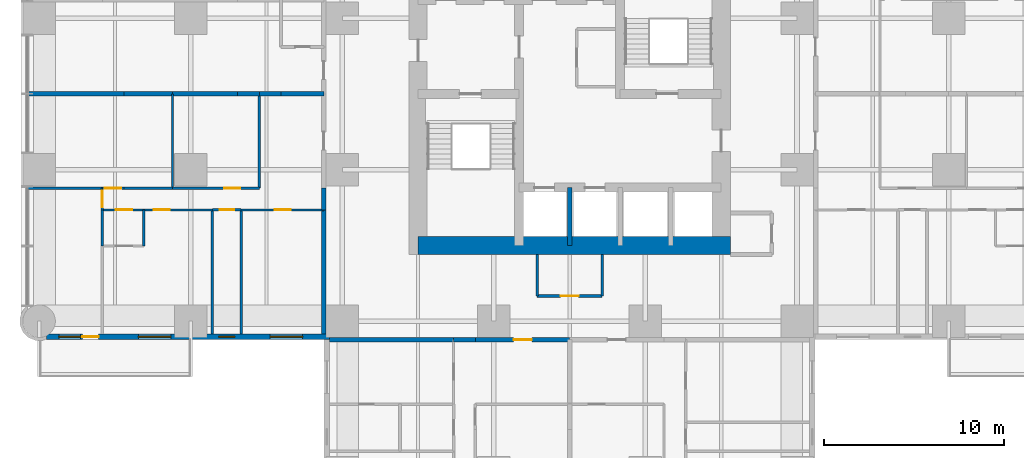
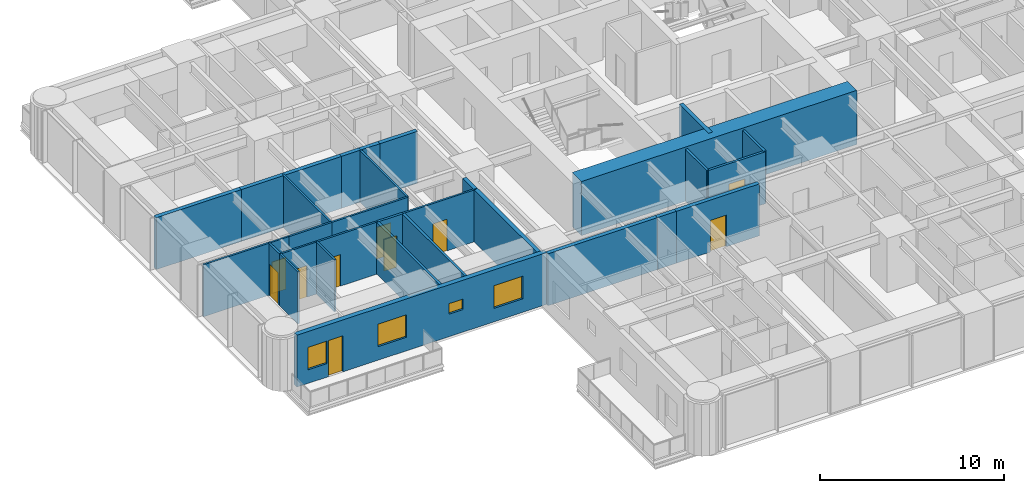
# One storey, part 8 of 17: 32 walls, 10 doors, 4 windows, 14 openings.
"""IFC4 building model written with IfcOpenShell, lengths in metres."""

from ifc_helpers import new_model, si_unit, direction, frame, frame_2d, origin, place, context, subcontext, project, spatial, rectangle, extrude, material, layer, layer_set, type_object, element, fill, save


model = new_model("IFC4")

# Units and contexts
model_context = context("Model", 3, precision=1e-05, world=origin(), true_north=direction((0.0, 1.0)))
body_context = subcontext(model_context, "Body", "Model", "MODEL_VIEW")
ifc_project = project(units=[si_unit("LENGTHUNIT", "METRE"), si_unit("AREAUNIT", "SQUARE_METRE"), si_unit("VOLUMEUNIT", "CUBIC_METRE"), si_unit("PLANEANGLEUNIT", "RADIAN"), si_unit("MASSUNIT", "GRAM", prefix="KILO")], contexts=[model_context])

# Site, building, storey
site_placement = place(None, origin())
site = spatial("IfcSite", under=ifc_project, at=site_placement, CompositionType="ELEMENT")
building_placement = place(site_placement, origin())
building = spatial("IfcBuilding", under=site, at=building_placement, Name="Torre Alcanfor", CompositionType="ELEMENT")
storey_placement = place(building_placement, frame((0.0, 0.0, 41.699951171875)))
storey = spatial("IfcBuildingStorey", under=building, at=storey_placement, Name="L09", CompositionType="ELEMENT", Elevation=41.699951171875)

# Wall, opening, door
ifc_material_1 = material(Name="Concrete block masonry, hollow blocks NMX-C-404 9 MPa", Category="masonry")
ifc_layer_1 = layer(ifc_material_1, 0.25)
ifc_layer_set_1 = layer_set([ifc_layer_1], Name="Apartment entrance wall 250 EI 60")
wall_type_1 = type_object("IfcWallType", Name="Apartment entrance wall 250 EI 60", PredefinedType="PARTITIONING", material=ifc_layer_set_1)
wall_1_placement = place(storey_placement, frame((29.39990234375, 15.77490234375, 0.0), z_axis=(0.0, 0.0, 1.0), x_axis=(-1.0, 0.0, 0.0)))
wall_1 = element("IfcWall", 1, at=wall_1_placement, inside=storey, type_object=wall_type_1, Name="Partition L09-CORR / L09-S2-ZAG", PredefinedType="PARTITIONING", context=body_context, shape_type="SweptSolid", body=[
    extrude(rectangle(XDim=5.22900390625, YDim=0.25, at=frame_2d((2.614501953125, 0.0))), origin(), (0.0, 0.0, 1.0), 3.449951171875),
])
opening_1_placement = place(wall_1_placement, frame((2.10009765625, 0.0, 0.0)))
opening_1 = element("IfcOpeningElement", 2, at=opening_1_placement, cuts=wall_1, Name="Opening D-A1", PredefinedType="OPENING", context=body_context, shape_type="SweptSolid", body=[
    extrude(rectangle(XDim=1.0, YDim=2.10009765625, at=frame_2d((0.5, 1.050048828125))), frame((0.0, 0.135009765625, 0.0), z_axis=(0.0, -1.0, 0.0), x_axis=(1.0, 0.0, 0.0)), (0.0, 0.0, 1.0), 0.27001953125),
])
ifc_material_2 = material(Name="Galvanised steel sheet ASTM A653", Category="steel")
door_type_1 = type_object("IfcDoorType", Name="Apartment entrance door FD60 1000x2100", OperationType="SINGLE_SWING_LEFT", PredefinedType="DOOR", material=ifc_material_2)
door_1_placement = place(opening_1_placement, origin())
door_1 = element("IfcDoor", 3, at=door_1_placement, inside=storey, type_object=door_type_1, Name="Apartment entrance L09-S2", OperationType="SINGLE_SWING_LEFT", OverallHeight=2.10009765625, OverallWidth=1.0, PredefinedType="DOOR", context=body_context, shape_type="SweptSolid", body=[
    extrude(rectangle(XDim=1.0, YDim=2.10009765625, at=frame_2d((0.5, 1.050048828125))), frame((0.0, 0.02490234375, 0.0), z_axis=(0.0, -1.0, 0.0), x_axis=(1.0, 0.0, 0.0)), (0.0, 0.0, 1.0), 0.050048828125),
])
fill(opening_1, door_1)

# Walls
wall_2_placement = place(storey_placement, frame((24.1708984375, 15.77490234375, 0.0), z_axis=(0.0, 0.0, 1.0), x_axis=(-1.0, 0.0, 0.0)))
element("IfcWall", 4, at=wall_2_placement, inside=storey, type_object=wall_type_1, Name="Partition L09-CORR / L09-S2-HALL", PredefinedType="PARTITIONING", context=body_context, shape_type="SweptSolid", body=[
    extrude(rectangle(XDim=1.199951171875, YDim=0.25, at=frame_2d((0.60009765625, 0.0))), origin(), (0.0, 0.0, 1.0), 3.449951171875),
])
wall_3_placement = place(storey_placement, frame((22.970947265625, 15.77490234375, 0.0), z_axis=(0.0, 0.0, 1.0), x_axis=(-1.0, 0.0, 0.0)))
element("IfcWall", 5, at=wall_3_placement, inside=storey, type_object=wall_type_1, Name="Partition L09-CORR / L09-S2-SERV", PredefinedType="PARTITIONING", context=body_context, shape_type="SweptSolid", body=[
    extrude(rectangle(XDim=6.870849609375, YDim=0.25, at=frame_2d((3.435546875, 0.0))), origin(), (0.0, 0.0, 1.0), 3.449951171875),
])
wall_4_placement = place(storey_placement, frame((15.77490234375, 22.970947265625, 0.0), z_axis=(0.0, 0.0, 1.0), x_axis=(0.0, 1.0, 0.0)))
element("IfcWall", 6, at=wall_4_placement, inside=storey, type_object=wall_type_1, Name="Partition L09-CORR / L09-W1-HALL", PredefinedType="PARTITIONING", context=body_context, shape_type="SweptSolid", body=[
    extrude(rectangle(XDim=1.199951171875, YDim=0.25, at=frame_2d((0.60009765625, 0.0))), origin(), (0.0, 0.0, 1.0), 3.449951171875),
])
wall_5_placement = place(storey_placement, frame((15.77490234375, 16.10009765625, 0.0), z_axis=(0.0, 0.0, 1.0), x_axis=(0.0, 1.0, 0.0)))
element("IfcWall", 7, at=wall_5_placement, inside=storey, type_object=wall_type_1, Name="Partition L09-CORR / L09-W1-BED2", PredefinedType="PARTITIONING", context=body_context, shape_type="SweptSolid", body=[
    extrude(rectangle(XDim=6.870849609375, YDim=0.25, at=frame_2d((3.435546875, 0.0))), origin(), (0.0, 0.0, 1.0), 3.449951171875),
])
ifc_material_3 = material(Name="Gypsum board on steel studs", Category="steel")
ifc_layer_2 = layer(ifc_material_3, 0.1201171875)
ifc_layer_set_2 = layer_set([ifc_layer_2], Name="Apartment partition 120")
wall_type_2 = type_object("IfcWallType", Name="Apartment partition 120", PredefinedType="PARTITIONING", material=ifc_layer_set_2)
for number, where, z_axis, x_axis, name in (
    (8, (12.199951171875, 29.39990234375, 0.0), (0.0, 0.0, 1.0), (0.0, -1.0, 0.0), "Partition L09-W1-ZAG / L09-W1-FAMILY"),
    (9, (7.39990234375, 29.39990234375, 0.0), (0.0, 0.0, 1.0), (0.0, -1.0, 0.0), "Partition L09-W1-FAMILY / L09-W1-KITCHEN"),
):
    element("IfcWall", number, at=place(storey_placement, frame(where, z_axis=z_axis, x_axis=x_axis)), inside=storey, type_object=wall_type_2, Name=name, PredefinedType="PARTITIONING", context=body_context, shape_type="SweptSolid", body=[
        extrude(rectangle(XDim=5.22900390625, YDim=0.1201171875, at=frame_2d((2.614501953125, 0.0))), origin(), (0.0, 0.0, 1.0), 3.449951171875),
    ])

# Wall, opening, door
wall_6_placement = place(storey_placement, frame((7.39990234375, 24.1708984375, 0.0), z_axis=(0.0, 0.0, 1.0), x_axis=(1.0, 0.0, 0.0)))
wall_6 = element("IfcWall", 10, at=wall_6_placement, inside=storey, type_object=wall_type_2, Name="Partition L09-W1-FAMILY / L09-W1-HALL", PredefinedType="PARTITIONING", context=body_context, shape_type="SweptSolid", body=[
    extrude(rectangle(XDim=4.800048828125, YDim=0.1201171875, at=frame_2d((2.39990234375, 0.0))), origin(), (0.0, 0.0, 1.0), 3.449951171875),
])
opening_2_placement = place(wall_6_placement, frame((2.85009765625, 0.0, 0.0)))
opening_2 = element("IfcOpeningElement", 11, at=opening_2_placement, cuts=wall_6, Name="Opening D-R1", PredefinedType="OPENING", context=body_context, shape_type="SweptSolid", body=[
    extrude(rectangle(XDim=0.89990234375, YDim=2.10009765625, at=frame_2d((0.449951171875, 1.050048828125))), frame((0.0, 0.070068359375, 0.0), z_axis=(0.0, -1.0, 0.0), x_axis=(1.0, 0.0, 0.0)), (0.0, 0.0, 1.0), 0.14013671875),
])
ifc_material_4 = material(Name="Timber", Category="wood")
door_type_2 = type_object("IfcDoorType", Name="Internal door 900x2100", OperationType="SINGLE_SWING_LEFT", PredefinedType="DOOR", material=ifc_material_4)
door_2_placement = place(opening_2_placement, origin())
door_2 = element("IfcDoor", 12, at=door_2_placement, inside=storey, type_object=door_type_2, Name="Door L09-W1 family", OperationType="SINGLE_SWING_RIGHT", OverallHeight=2.10009765625, OverallWidth=0.89990234375, PredefinedType="DOOR", context=body_context, shape_type="SweptSolid", body=[
    extrude(rectangle(XDim=0.89990234375, YDim=2.10009765625, at=frame_2d((0.449951171875, 1.050048828125))), frame((0.0, 0.02490234375, 0.0), z_axis=(0.0, -1.0, 0.0), x_axis=(1.0, 0.0, 0.0)), (0.0, 0.0, 1.0), 0.050048828125),
])
fill(opening_2, door_2)

# Wall
wall_7_placement = place(storey_placement, frame((4.699951171875, 24.1708984375, 0.0), z_axis=(0.0, 0.0, 1.0), x_axis=(1.0, 0.0, 0.0)))
element("IfcWall", 13, at=wall_7_placement, inside=storey, type_object=wall_type_2, Name="Partition L09-W1-KITCHEN / L09-W1-HALL", PredefinedType="PARTITIONING", context=body_context, shape_type="SweptSolid", body=[
    extrude(rectangle(XDim=2.699951171875, YDim=0.1201171875, at=frame_2d((1.35009765625, 0.0))), origin(), (0.0, 0.0, 1.0), 3.449951171875),
])

# Wall, opening, door
wall_8_placement = place(storey_placement, frame((3.5, 24.1708984375, 0.0), z_axis=(0.0, 0.0, 1.0), x_axis=(1.0, 0.0, 0.0)))
wall_8 = element("IfcWall", 14, at=wall_8_placement, inside=storey, type_object=wall_type_2, Name="Partition L09-W1-LIVING / L09-W1-HALL", PredefinedType="PARTITIONING", context=body_context, shape_type="SweptSolid", body=[
    extrude(rectangle(XDim=1.199951171875, YDim=0.1201171875, at=frame_2d((0.60009765625, 0.0))), origin(), (0.0, 0.0, 1.0), 3.449951171875),
])
opening_3_placement = place(wall_8_placement, frame((0.14990234375, 0.0, 0.0)))
opening_3 = element("IfcOpeningElement", 15, at=opening_3_placement, cuts=wall_8, Name="Opening D-R1", PredefinedType="OPENING", context=body_context, shape_type="SweptSolid", body=[
    extrude(rectangle(XDim=0.89990234375, YDim=2.10009765625, at=frame_2d((0.449951171875, 1.050048828125))), frame((0.0, 0.070068359375, 0.0), z_axis=(0.0, -1.0, 0.0), x_axis=(1.0, 0.0, 0.0)), (0.0, 0.0, 1.0), 0.14013671875),
])
door_3_placement = place(opening_3_placement, origin())
door_3 = element("IfcDoor", 16, at=door_3_placement, inside=storey, type_object=door_type_2, Name="Door L09-W1 living", OperationType="SINGLE_SWING_RIGHT", OverallHeight=2.10009765625, OverallWidth=0.89990234375, PredefinedType="DOOR", context=body_context, shape_type="SweptSolid", body=[
    extrude(rectangle(XDim=0.89990234375, YDim=2.10009765625, at=frame_2d((0.449951171875, 1.050048828125))), frame((0.0, 0.02490234375, 0.0), z_axis=(0.0, -1.0, 0.0), x_axis=(1.0, 0.0, 0.0)), (0.0, 0.0, 1.0), 0.050048828125),
])
fill(opening_3, door_3)

# Wall
wall_9_placement = place(storey_placement, frame((-0.64990234375, 24.1708984375, 0.0), z_axis=(0.0, 0.0, 1.0), x_axis=(1.0, 0.0, 0.0)))
element("IfcWall", 17, at=wall_9_placement, inside=storey, type_object=wall_type_2, Name="Partition L09-W1-LIVING / L09-W1-WGARD", PredefinedType="PARTITIONING", context=body_context, shape_type="SweptSolid", body=[
    extrude(rectangle(XDim=4.14990234375, YDim=0.1201171875, at=frame_2d((2.074951171875, 0.0))), origin(), (0.0, 0.0, 1.0), 3.449951171875),
])

# Wall, opening, door
wall_10_placement = place(storey_placement, frame((11.199951171875, 22.970947265625, 0.0), z_axis=(0.0, 0.0, 1.0), x_axis=(1.0, 0.0, 0.0)))
wall_10 = element("IfcWall", 18, at=wall_10_placement, inside=storey, type_object=wall_type_2, Name="Partition L09-W1-HALL / L09-W1-BED2", PredefinedType="PARTITIONING", context=body_context, shape_type="SweptSolid", body=[
    extrude(rectangle(XDim=4.574951171875, YDim=0.1201171875, at=frame_2d((2.28759765625, 0.0))), origin(), (0.0, 0.0, 1.0), 3.449951171875),
])
opening_4_placement = place(wall_10_placement, frame((1.85009765625, 0.0, 0.0)))
opening_4 = element("IfcOpeningElement", 19, at=opening_4_placement, cuts=wall_10, Name="Opening D-R1", PredefinedType="OPENING", context=body_context, shape_type="SweptSolid", body=[
    extrude(rectangle(XDim=0.89990234375, YDim=2.10009765625, at=frame_2d((0.449951171875, 1.050048828125))), frame((0.0, 0.070068359375, 0.0), z_axis=(0.0, -1.0, 0.0), x_axis=(1.0, 0.0, 0.0)), (0.0, 0.0, 1.0), 0.14013671875),
])
door_4_placement = place(opening_4_placement, frame((0.89990234375, 0.0, 0.0), z_axis=(0.0, 0.0, 1.0), x_axis=(-1.0, 0.0, 0.0)))
door_4 = element("IfcDoor", 20, at=door_4_placement, inside=storey, type_object=door_type_2, Name="Door L09-W1 bed2", OperationType="SINGLE_SWING_LEFT", OverallHeight=2.10009765625, OverallWidth=0.89990234375, PredefinedType="DOOR", context=body_context, shape_type="SweptSolid", body=[
    extrude(rectangle(XDim=0.89990234375, YDim=2.10009765625, at=frame_2d((0.449951171875, 1.050048828125))), frame((0.0, 0.025146484375, 0.0), z_axis=(0.0, -1.0, 0.0), x_axis=(1.0, 0.0, 0.0)), (0.0, 0.0, 1.0), 0.050048828125),
])
fill(opening_4, door_4)

wall_11_placement = place(storey_placement, frame((5.800048828125, 22.970947265625, 0.0), z_axis=(0.0, 0.0, 1.0), x_axis=(1.0, 0.0, 0.0)))
wall_11 = element("IfcWall", 21, at=wall_11_placement, inside=storey, type_object=wall_type_2, Name="Partition L09-W1-HALL / L09-W1-MASTER", PredefinedType="PARTITIONING", context=body_context, shape_type="SweptSolid", body=[
    extrude(rectangle(XDim=3.800048828125, YDim=0.1201171875, at=frame_2d((1.89990234375, 0.0))), origin(), (0.0, 0.0, 1.0), 3.449951171875),
])
opening_5_placement = place(wall_11_placement, frame((0.550048828125, 0.0, 0.0)))
opening_5 = element("IfcOpeningElement", 22, at=opening_5_placement, cuts=wall_11, Name="Opening D-R1", PredefinedType="OPENING", context=body_context, shape_type="SweptSolid", body=[
    extrude(rectangle(XDim=0.89990234375, YDim=2.10009765625, at=frame_2d((0.449951171875, 1.050048828125))), frame((0.0, 0.070068359375, 0.0), z_axis=(0.0, -1.0, 0.0), x_axis=(1.0, 0.0, 0.0)), (0.0, 0.0, 1.0), 0.14013671875),
])
door_5_placement = place(opening_5_placement, frame((0.89990234375, 0.0, 0.0), z_axis=(0.0, 0.0, 1.0), x_axis=(-1.0, 0.0, 0.0)))
door_5 = element("IfcDoor", 23, at=door_5_placement, inside=storey, type_object=door_type_2, Name="Door L09-W1 master", OperationType="SINGLE_SWING_RIGHT", OverallHeight=2.10009765625, OverallWidth=0.89990234375, PredefinedType="DOOR", context=body_context, shape_type="SweptSolid", body=[
    extrude(rectangle(XDim=0.89990234375, YDim=2.10009765625, at=frame_2d((0.449951171875, 1.050048828125))), frame((0.0, 0.025146484375, 0.0), z_axis=(0.0, -1.0, 0.0), x_axis=(1.0, 0.0, 0.0)), (0.0, 0.0, 1.0), 0.050048828125),
])
fill(opening_5, door_5)

wall_12_placement = place(storey_placement, frame((3.5, 22.970947265625, 0.0), z_axis=(0.0, 0.0, 1.0), x_axis=(1.0, 0.0, 0.0)))
wall_12 = element("IfcWall", 24, at=wall_12_placement, inside=storey, type_object=wall_type_2, Name="Partition L09-W1-HALL / L09-W1-VEST", PredefinedType="PARTITIONING", context=body_context, shape_type="SweptSolid", body=[
    extrude(rectangle(XDim=2.300048828125, YDim=0.1201171875, at=frame_2d((1.14990234375, 0.0))), origin(), (0.0, 0.0, 1.0), 3.449951171875),
])
opening_6_placement = place(wall_12_placement, frame((0.75, 0.0, 0.0)))
opening_6 = element("IfcOpeningElement", 25, at=opening_6_placement, cuts=wall_12, Name="Opening D-R1", PredefinedType="OPENING", context=body_context, shape_type="SweptSolid", body=[
    extrude(rectangle(XDim=0.89990234375, YDim=2.10009765625, at=frame_2d((0.449951171875, 1.050048828125))), frame((0.0, 0.070068359375, 0.0), z_axis=(0.0, -1.0, 0.0), x_axis=(1.0, 0.0, 0.0)), (0.0, 0.0, 1.0), 0.14013671875),
])
door_6_placement = place(opening_6_placement, frame((0.89990234375, 0.0, 0.0), z_axis=(0.0, 0.0, 1.0), x_axis=(-1.0, 0.0, 0.0)))
door_6 = element("IfcDoor", 26, at=door_6_placement, inside=storey, type_object=door_type_2, Name="Door L09-W1 vest", OperationType="SINGLE_SWING_LEFT", OverallHeight=2.10009765625, OverallWidth=0.89990234375, PredefinedType="DOOR", context=body_context, shape_type="SweptSolid", body=[
    extrude(rectangle(XDim=0.89990234375, YDim=2.10009765625, at=frame_2d((0.449951171875, 1.050048828125))), frame((0.0, 0.025146484375, 0.0), z_axis=(0.0, -1.0, 0.0), x_axis=(1.0, 0.0, 0.0)), (0.0, 0.0, 1.0), 0.050048828125),
])
fill(opening_6, door_6)

wall_13_placement = place(storey_placement, frame((3.5, 24.1708984375, 0.0), z_axis=(0.0, 0.0, 1.0), x_axis=(0.0, -1.0, 0.0)))
wall_13 = element("IfcWall", 27, at=wall_13_placement, inside=storey, type_object=wall_type_2, Name="Partition L09-W1-HALL / L09-W1-WGARD", PredefinedType="PARTITIONING", context=body_context, shape_type="SweptSolid", body=[
    extrude(rectangle(XDim=1.199951171875, YDim=0.1201171875, at=frame_2d((0.60009765625, 0.0))), origin(), (0.0, 0.0, 1.0), 3.449951171875),
])
opening_7_placement = place(wall_13_placement, frame((0.15087890625, 0.0, 0.0)))
opening_7 = element("IfcOpeningElement", 28, at=opening_7_placement, cuts=wall_13, Name="Opening D-R1", PredefinedType="OPENING", context=body_context, shape_type="SweptSolid", body=[
    extrude(rectangle(XDim=0.89990234375, YDim=2.10009765625, at=frame_2d((0.449951171875, 1.050048828125))), frame((0.0, 0.070068359375, 0.0), z_axis=(0.0, -1.0, 0.0), x_axis=(1.0, 0.0, 0.0)), (0.0, 0.0, 1.0), 0.14013671875),
])
door_7_placement = place(opening_7_placement, frame((0.89990234375, 0.0, 0.0), z_axis=(0.0, 0.0, 1.0), x_axis=(-1.0, 0.0, 0.0)))
door_7 = element("IfcDoor", 29, at=door_7_placement, inside=storey, type_object=door_type_2, Name="Door L09-W1 wgard", OperationType="SINGLE_SWING_RIGHT", OverallHeight=2.10009765625, OverallWidth=0.89990234375, PredefinedType="DOOR", context=body_context, shape_type="SweptSolid", body=[
    extrude(rectangle(XDim=0.89990234375, YDim=2.10009765625, at=frame_2d((0.449951171875, 1.050048828125))), frame((0.0, 0.025146484375, 0.0), z_axis=(0.0, -1.0, 0.0), x_axis=(1.0, 0.0, 0.0)), (0.0, 0.0, 1.0), 0.050048828125),
])
fill(opening_7, door_7)

# Walls
for number, where, z_axis, x_axis, name in (
    (30, (5.800048828125, 20.970947265625, 0.0), (0.0, 0.0, 1.0), (0.0, 1.0, 0.0), "Partition L09-W1-MASTER / L09-W1-VEST"),
    (31, (3.5, 22.970947265625, 0.0), (0.0, 0.0, 1.0), (0.0, -1.0, 0.0), "Partition L09-W1-VEST / L09-W1-WGARD"),
):
    element("IfcWall", number, at=place(storey_placement, frame(where, z_axis=z_axis, x_axis=x_axis)), inside=storey, type_object=wall_type_2, Name=name, PredefinedType="PARTITIONING", context=body_context, shape_type="SweptSolid", body=[
        extrude(rectangle(XDim=2.0, YDim=0.1201171875, at=frame_2d((1.0, 0.0))), origin(), (0.0, 0.0, 1.0), 3.449951171875),
    ])
ifc_material_5 = material(Name="Concrete f'c 70 MPa", Category="concrete")
ifc_layer_3 = layer(ifc_material_5, 0.25)
ifc_layer_set_3 = layer_set([ifc_layer_3], Name="Core shaft wall 250 f'c70")
wall_type_3 = type_object("IfcWallType", Name="Core shaft wall 250 f'c70", PredefinedType="SHEAR", material=ifc_layer_set_3)
wall_14_placement = place(storey_placement, frame((29.39990234375, 21.0, 0.0), z_axis=(0.0, 0.0, 1.0), x_axis=(0.0, 1.0, 0.0)))
element("IfcWall", 32, at=wall_14_placement, inside=storey, type_object=wall_type_3, Name="Core wall X294S L09", PredefinedType="SHEAR", context=body_context, shape_type="SweptSolid", body=[
    extrude(rectangle(XDim=3.199951171875, YDim=0.25, at=frame_2d((1.60009765625, 0.0))), origin(), (0.0, 0.0, 1.0), 3.60009765625),
])
ifc_material_6 = material(Name="Concrete f'c 70 MPa", Category="concrete")
ifc_layer_4 = layer(ifc_material_6, 1.0)
ifc_layer_set_4 = layer_set([ifc_layer_4], Name="Core wall 1000 f'c70")
wall_type_4 = type_object("IfcWallType", Name="Core wall 1000 f'c70", PredefinedType="SHEAR", material=ifc_layer_set_4)
wall_15_placement = place(storey_placement, frame((21.0, 21.0, 0.0), z_axis=(0.0, 0.0, 1.0), x_axis=(1.0, 0.0, 0.0)))
element("IfcWall", 33, at=wall_15_placement, inside=storey, type_object=wall_type_4, Name="Core wall OUT-S L09", PredefinedType="SHEAR", context=body_context, shape_type="SweptSolid", body=[
    extrude(rectangle(XDim=17.300048828125, YDim=1.0, at=frame_2d((8.64990234375, 0.0))), origin(), (0.0, 0.0, 1.0), 3.60009765625),
])

# Wall, openings, door, windows
ifc_material_7 = material(Name="Limestone cladding", Category="masonry")
ifc_layer_5 = layer(ifc_material_7, 0.0400390625, Name="Facing")
ifc_material_8 = material(Name="Ventilated air cavity")
ifc_layer_6 = layer(ifc_material_8, 0.02001953125, ventilated=True, Name="Ventilated joint")
ifc_material_9 = material(Name="Mineral wool insulation", Category="insulation")
ifc_layer_7 = layer(ifc_material_9, 0.10009765625, Name="Insulation")
ifc_material_10 = material(Name="Concrete f'c 35 MPa", Category="concrete")
ifc_layer_8 = layer(ifc_material_10, 0.139892578125, Name="Backing")
ifc_layer_set_5 = layer_set([ifc_layer_5, ifc_layer_6, ifc_layer_7, ifc_layer_8], Name="External wall stone-clad 300")
wall_type_5 = type_object("IfcWallType", Name="External wall stone-clad 300", PredefinedType="SOLIDWALL", material=ifc_layer_set_5)
wall_16_placement = place(storey_placement, frame((0.39990234375, 15.949951171875, 0.0), z_axis=(0.0, 0.0, 1.0), x_axis=(1.0, 0.0, 0.0)))
wall_16 = element("IfcWall", 34, at=wall_16_placement, inside=storey, type_object=wall_type_5, Name="External wall L09 3", PredefinedType="SOLIDWALL", context=body_context, shape_type="SweptSolid", body=[
    extrude(rectangle(XDim=15.7001953125, YDim=0.300048828125, at=frame_2d((7.85009765625, 0.0))), origin(), (0.0, 0.0, 1.0), 3.449951171875),
])
opening_8_placement = place(wall_16_placement, frame((12.39990234375, 0.0, 0.89990234375)))
opening_8 = element("IfcOpeningElement", 35, at=opening_8_placement, cuts=wall_16, Name="Opening W2", PredefinedType="OPENING", context=body_context, shape_type="SweptSolid", body=[
    extrude(rectangle(XDim=1.800048828125, YDim=1.5, at=frame_2d((0.89990234375, 0.75))), frame((0.0, 0.159912109375, 0.0), z_axis=(0.0, -1.0, 0.0), x_axis=(1.0, 0.0, 0.0)), (0.0, 0.0, 1.0), 0.320068359375),
])
opening_9_placement = place(wall_16_placement, frame((9.550048828125, 0.0, 1.5)))
opening_9 = element("IfcOpeningElement", 36, at=opening_9_placement, cuts=wall_16, Name="Opening W3", PredefinedType="OPENING", context=body_context, shape_type="SweptSolid", body=[
    extrude(rectangle(XDim=0.89990234375, YDim=0.699951171875, at=frame_2d((0.449951171875, 0.35009765625))), frame((0.0, 0.159912109375, 0.0), z_axis=(0.0, -1.0, 0.0), x_axis=(1.0, 0.0, 0.0)), (0.0, 0.0, 1.0), 0.320068359375),
])
opening_10_placement = place(wall_16_placement, frame((5.10009765625, 0.0, 0.89990234375)))
opening_10 = element("IfcOpeningElement", 37, at=opening_10_placement, cuts=wall_16, Name="Opening W2", PredefinedType="OPENING", context=body_context, shape_type="SweptSolid", body=[
    extrude(rectangle(XDim=1.800048828125, YDim=1.5, at=frame_2d((0.89990234375, 0.75))), frame((0.0, 0.159912109375, 0.0), z_axis=(0.0, -1.0, 0.0), x_axis=(1.0, 0.0, 0.0)), (0.0, 0.0, 1.0), 0.320068359375),
])
opening_11_placement = place(wall_16_placement, frame((2.0, 0.0, 0.0)))
opening_11 = element("IfcOpeningElement", 38, at=opening_11_placement, cuts=wall_16, Name="Opening D-B1", PredefinedType="OPENING", context=body_context, shape_type="SweptSolid", body=[
    extrude(rectangle(XDim=0.89990234375, YDim=2.39990234375, at=frame_2d((0.449951171875, 1.199951171875))), frame((0.0, 0.159912109375, 0.0), z_axis=(0.0, -1.0, 0.0), x_axis=(1.0, 0.0, 0.0)), (0.0, 0.0, 1.0), 0.320068359375),
])
opening_12_placement = place(wall_16_placement, frame((0.699951171875, 0.0, 0.89990234375)))
opening_12 = element("IfcOpeningElement", 39, at=opening_12_placement, cuts=wall_16, Name="Opening W4", PredefinedType="OPENING", context=body_context, shape_type="SweptSolid", body=[
    extrude(rectangle(XDim=1.199951171875, YDim=1.5, at=frame_2d((0.60009765625, 0.75))), frame((0.0, 0.159912109375, 0.0), z_axis=(0.0, -1.0, 0.0), x_axis=(1.0, 0.0, 0.0)), (0.0, 0.0, 1.0), 0.320068359375),
])
ifc_material_11 = material(Name="Aluminium and glass", Category="aluminium")
door_type_3 = type_object("IfcDoorType", Name="Balcony door glazed 900x2400", OperationType="SINGLE_SWING_LEFT", PredefinedType="DOOR", material=ifc_material_11)
door_8_placement = place(opening_11_placement, origin())
door_8 = element("IfcDoor", 40, at=door_8_placement, inside=storey, type_object=door_type_3, Name="Balcony door L09-W1", OperationType="SINGLE_SWING_RIGHT", OverallHeight=2.39990234375, OverallWidth=0.89990234375, PredefinedType="DOOR", context=body_context, shape_type="SweptSolid", body=[
    extrude(rectangle(XDim=0.89990234375, YDim=2.39990234375, at=frame_2d((0.449951171875, 1.199951171875))), frame((0.0, 0.02490234375, 0.0), z_axis=(0.0, -1.0, 0.0), x_axis=(1.0, 0.0, 0.0)), (0.0, 0.0, 1.0), 0.050048828125),
])
fill(opening_11, door_8)
ifc_material_12 = material(Name="Aluminium frame with clear double glazing", Category="aluminium")
window_type_1 = type_object("IfcWindowType", Name="Window bathroom 900x700", PartitioningType="SINGLE_PANEL", PredefinedType="WINDOW", material=ifc_material_12)
window_1_placement = place(opening_9_placement, origin())
window_1 = element("IfcWindow", 41, at=window_1_placement, inside=storey, type_object=window_type_1, Name="Window W3 L09-W1", OverallHeight=0.699951171875, OverallWidth=0.89990234375, PartitioningType="SINGLE_PANEL", PredefinedType="WINDOW", context=body_context, shape_type="SweptSolid", body=[
    extrude(rectangle(XDim=0.89990234375, YDim=0.699951171875, at=frame_2d((0.449951171875, 0.35009765625))), frame((0.0, 0.030029296875, 0.0), z_axis=(0.0, -1.0, 0.0), x_axis=(1.0, 0.0, 0.0)), (0.0, 0.0, 1.0), 0.06005859375),
])
fill(opening_9, window_1)
ifc_material_13 = material(Name="Aluminium frame with clear double glazing", Category="aluminium")
window_type_2 = type_object("IfcWindowType", Name="Window bedroom 1200x1500", PartitioningType="SINGLE_PANEL", PredefinedType="WINDOW", material=ifc_material_13)
window_2_placement = place(opening_12_placement, origin())
window_2 = element("IfcWindow", 42, at=window_2_placement, inside=storey, type_object=window_type_2, Name="Window W4 L09-W1", OverallHeight=1.5, OverallWidth=1.199951171875, PartitioningType="SINGLE_PANEL", PredefinedType="WINDOW", context=body_context, shape_type="SweptSolid", body=[
    extrude(rectangle(XDim=1.199951171875, YDim=1.5, at=frame_2d((0.60009765625, 0.75))), frame((0.0, 0.030029296875, 0.0), z_axis=(0.0, -1.0, 0.0), x_axis=(1.0, 0.0, 0.0)), (0.0, 0.0, 1.0), 0.06005859375),
])
fill(opening_12, window_2)
ifc_material_14 = material(Name="Aluminium frame with clear double glazing", Category="aluminium")
window_type_3 = type_object("IfcWindowType", Name="Window bedroom 1800x1500", PartitioningType="SINGLE_PANEL", PredefinedType="WINDOW", material=ifc_material_14)
window_3_placement = place(opening_8_placement, origin())
window_3 = element("IfcWindow", 43, at=window_3_placement, inside=storey, type_object=window_type_3, Name="Window W2 L09-W1", OverallHeight=1.5, OverallWidth=1.800048828125, PartitioningType="SINGLE_PANEL", PredefinedType="WINDOW", context=body_context, shape_type="SweptSolid", body=[
    extrude(rectangle(XDim=1.800048828125, YDim=1.5, at=frame_2d((0.89990234375, 0.75))), frame((0.0, 0.030029296875, 0.0), z_axis=(0.0, -1.0, 0.0), x_axis=(1.0, 0.0, 0.0)), (0.0, 0.0, 1.0), 0.06005859375),
])
fill(opening_8, window_3)
window_4_placement = place(opening_10_placement, origin())
window_4 = element("IfcWindow", 44, at=window_4_placement, inside=storey, type_object=window_type_3, Name="Window W2 L09-W1", OverallHeight=1.5, OverallWidth=1.800048828125, PartitioningType="SINGLE_PANEL", PredefinedType="WINDOW", context=body_context, shape_type="SweptSolid", body=[
    extrude(rectangle(XDim=1.800048828125, YDim=1.5, at=frame_2d((0.89990234375, 0.75))), frame((0.0, 0.030029296875, 0.0), z_axis=(0.0, -1.0, 0.0), x_axis=(1.0, 0.0, 0.0)), (0.0, 0.0, 1.0), 0.06005859375),
])
fill(opening_10, window_4)

# Walls
ifc_material_15 = material(Name="Concrete block masonry, hollow blocks NMX-C-404 9 MPa", Category="masonry")
ifc_layer_9 = layer(ifc_material_15, 0.25)
ifc_layer_set_6 = layer_set([ifc_layer_9], Name="Party wall 250 EI 60")
wall_type_6 = type_object("IfcWallType", Name="Party wall 250 EI 60", PredefinedType="PARTITIONING", material=ifc_layer_set_6)
wall_17_placement = place(storey_placement, frame((15.77490234375, 29.39990234375, 0.0), z_axis=(0.0, 0.0, 1.0), x_axis=(-1.0, 0.0, 0.0)))
element("IfcWall", 45, at=wall_17_placement, inside=storey, type_object=wall_type_6, Name="Partition L09-W1-ZAG / L09-W2A-FOYER", PredefinedType="PARTITIONING", context=body_context, shape_type="SweptSolid", body=[
    extrude(rectangle(XDim=2.375, YDim=0.25, at=frame_2d((1.1875, 0.0))), origin(), (0.0, 0.0, 1.0), 3.449951171875),
])
for number, where, z_axis, x_axis, name in (
    (46, (13.39990234375, 29.39990234375, 0.0), (0.0, 0.0, 1.0), (-1.0, 0.0, 0.0), "Partition L09-W1-ZAG / L09-W2A-KITCHEN"),
    (47, (12.199951171875, 29.39990234375, 0.0), (0.0, 0.0, 1.0), (-1.0, 0.0, 0.0), "Partition L09-W1-FAMILY / L09-W2A-KITCHEN"),
):
    element("IfcWall", number, at=place(storey_placement, frame(where, z_axis=z_axis, x_axis=x_axis)), inside=storey, type_object=wall_type_6, Name=name, PredefinedType="PARTITIONING", context=body_context, shape_type="SweptSolid", body=[
        extrude(rectangle(XDim=1.199951171875, YDim=0.25, at=frame_2d((0.60009765625, 0.0))), origin(), (0.0, 0.0, 1.0), 3.449951171875),
    ])
wall_18_placement = place(storey_placement, frame((11.0, 29.39990234375, 0.0), z_axis=(0.0, 0.0, 1.0), x_axis=(-1.0, 0.0, 0.0)))
element("IfcWall", 48, at=wall_18_placement, inside=storey, type_object=wall_type_6, Name="Partition L09-W1-FAMILY / L09-W2A-STUDIO", PredefinedType="PARTITIONING", context=body_context, shape_type="SweptSolid", body=[
    extrude(rectangle(XDim=3.60009765625, YDim=0.25, at=frame_2d((1.800048828125, 0.0))), origin(), (0.0, 0.0, 1.0), 3.449951171875),
])
wall_19_placement = place(storey_placement, frame((7.39990234375, 29.39990234375, 0.0), z_axis=(0.0, 0.0, 1.0), x_axis=(-1.0, 0.0, 0.0)))
element("IfcWall", 49, at=wall_19_placement, inside=storey, type_object=wall_type_6, Name="Partition L09-W1-KITCHEN / L09-W2A-STUDIO", PredefinedType="PARTITIONING", context=body_context, shape_type="SweptSolid", body=[
    extrude(rectangle(XDim=2.699951171875, YDim=0.25, at=frame_2d((1.35009765625, 0.0))), origin(), (0.0, 0.0, 1.0), 3.449951171875),
])
wall_20_placement = place(storey_placement, frame((4.699951171875, 29.39990234375, 0.0), z_axis=(0.0, 0.0, 1.0), x_axis=(-1.0, 0.0, 0.0)))
element("IfcWall", 50, at=wall_20_placement, inside=storey, type_object=wall_type_6, Name="Partition L09-W1-LIVING / L09-W2A-STUDIO", PredefinedType="PARTITIONING", context=body_context, shape_type="SweptSolid", body=[
    extrude(rectangle(XDim=5.349853515625, YDim=0.25, at=frame_2d((2.6748046875, 0.0))), origin(), (0.0, 0.0, 1.0), 3.449951171875),
])
ifc_material_16 = material(Name="Concrete block masonry, hollow blocks NMX-C-404 9 MPa", Category="masonry")
ifc_layer_10 = layer(ifc_material_16, 0.14990234375)
ifc_layer_set_7 = layer_set([ifc_layer_10], Name="Residents' room partition 150")
wall_type_7 = type_object("IfcWallType", Name="Residents' room partition 150", PredefinedType="PARTITIONING", material=ifc_layer_set_7)
wall_21_placement = place(storey_placement, frame((27.60009765625, 20.5, 0.0), z_axis=(0.0, 0.0, 1.0), x_axis=(0.0, -1.0, 0.0)))
element("IfcWall", 51, at=wall_21_placement, inside=storey, type_object=wall_type_7, Name="Partition L09-CORR / L09-G04", PredefinedType="PARTITIONING", context=body_context, shape_type="SweptSolid", body=[
    extrude(rectangle(XDim=2.300048828125, YDim=0.14990234375, at=frame_2d((1.14990234375, 0.0))), origin(), (0.0, 0.0, 1.0), 3.449951171875),
])

# Wall, opening, door
wall_22_placement = place(storey_placement, frame((27.60009765625, 18.199951171875, 0.0), z_axis=(0.0, 0.0, 1.0), x_axis=(1.0, 0.0, 0.0)))
wall_22 = element("IfcWall", 52, at=wall_22_placement, inside=storey, type_object=wall_type_7, Name="Partition L09-CORR / L09-G04", PredefinedType="PARTITIONING", context=body_context, shape_type="SweptSolid", body=[
    extrude(rectangle(XDim=3.599853515625, YDim=0.14990234375, at=frame_2d((1.7998046875, 0.0))), origin(), (0.0, 0.0, 1.0), 3.449951171875),
])
opening_13_placement = place(wall_22_placement, frame((1.300048828125, 0.0, 0.0)))
opening_13 = element("IfcOpeningElement", 53, at=opening_13_placement, cuts=wall_22, Name="Opening D-M1", PredefinedType="OPENING", context=body_context, shape_type="SweptSolid", body=[
    extrude(rectangle(XDim=1.0, YDim=2.10009765625, at=frame_2d((0.5, 1.050048828125))), frame((0.0, 0.0849609375, 0.0), z_axis=(0.0, -1.0, 0.0), x_axis=(1.0, 0.0, 0.0)), (0.0, 0.0, 1.0), 0.169921875),
])
ifc_material_17 = material(Name="Timber", Category="wood")
door_type_4 = type_object("IfcDoorType", Name="Residents' room door 1000x2100", OperationType="SINGLE_SWING_LEFT", PredefinedType="DOOR", material=ifc_material_17)
door_9_placement = place(opening_13_placement, origin())
door_9 = element("IfcDoor", 54, at=door_9_placement, inside=storey, type_object=door_type_4, Name="Door L09-G04 residents' storage lockers", OperationType="SINGLE_SWING_LEFT", OverallHeight=2.10009765625, OverallWidth=1.0, PredefinedType="DOOR", context=body_context, shape_type="SweptSolid", body=[
    extrude(rectangle(XDim=1.0, YDim=2.10009765625, at=frame_2d((0.5, 1.050048828125))), frame((0.0, 0.02490234375, 0.0), z_axis=(0.0, -1.0, 0.0), x_axis=(1.0, 0.0, 0.0)), (0.0, 0.0, 1.0), 0.050048828125),
])
fill(opening_13, door_9)

# Wall
wall_23_placement = place(storey_placement, frame((31.199951171875, 18.199951171875, 0.0), z_axis=(0.0, 0.0, 1.0), x_axis=(0.0, 1.0, 0.0)))
element("IfcWall", 55, at=wall_23_placement, inside=storey, type_object=wall_type_7, Name="Partition L09-CORR / L09-G04", PredefinedType="PARTITIONING", context=body_context, shape_type="SweptSolid", body=[
    extrude(rectangle(XDim=2.300048828125, YDim=0.14990234375, at=frame_2d((1.14990234375, 0.0))), origin(), (0.0, 0.0, 1.0), 3.449951171875),
])

# Wall, opening, door
ifc_material_18 = material(Name="Cement board on steel studs", Category="steel")
ifc_layer_11 = layer(ifc_material_18, 0.14990234375)
ifc_layer_set_8 = layer_set([ifc_layer_11], Name="Wet area partition 150")
wall_type_8 = type_object("IfcWallType", Name="Wet area partition 150", PredefinedType="PARTITIONING", material=ifc_layer_set_8)
wall_24_placement = place(storey_placement, frame((9.60009765625, 22.970947265625, 0.0), z_axis=(0.0, 0.0, 1.0), x_axis=(1.0, 0.0, 0.0)))
wall_24 = element("IfcWall", 56, at=wall_24_placement, inside=storey, type_object=wall_type_8, Name="Partition L09-W1-HALL / L09-W1-BATH1", PredefinedType="PARTITIONING", context=body_context, shape_type="SweptSolid", body=[
    extrude(rectangle(XDim=1.599853515625, YDim=0.14990234375, at=frame_2d((0.7998046875, 0.0))), origin(), (0.0, 0.0, 1.0), 3.449951171875),
])
opening_14_placement = place(wall_24_placement, frame((0.39990234375, 0.0, 0.0)))
opening_14 = element("IfcOpeningElement", 57, at=opening_14_placement, cuts=wall_24, Name="Opening D-R2", PredefinedType="OPENING", context=body_context, shape_type="SweptSolid", body=[
    extrude(rectangle(XDim=0.800048828125, YDim=2.10009765625, at=frame_2d((0.39990234375, 1.050048828125))), frame((0.0, 0.0849609375, 0.0), z_axis=(0.0, -1.0, 0.0), x_axis=(1.0, 0.0, 0.0)), (0.0, 0.0, 1.0), 0.169921875),
])
ifc_material_19 = material(Name="Timber", Category="wood")
door_type_5 = type_object("IfcDoorType", Name="Bathroom door 800x2100", OperationType="SINGLE_SWING_LEFT", PredefinedType="DOOR", material=ifc_material_19)
door_10_placement = place(opening_14_placement, frame((0.800048828125, 0.0, 0.0), z_axis=(0.0, 0.0, 1.0), x_axis=(-1.0, 0.0, 0.0)))
door_10 = element("IfcDoor", 58, at=door_10_placement, inside=storey, type_object=door_type_5, Name="Door L09-W1 bath1", OperationType="SINGLE_SWING_RIGHT", OverallHeight=2.10009765625, OverallWidth=0.800048828125, PredefinedType="DOOR", context=body_context, shape_type="SweptSolid", body=[
    extrude(rectangle(XDim=0.800048828125, YDim=2.10009765625, at=frame_2d((0.400146484375, 1.050048828125))), frame((0.0, 0.025146484375, 0.0), z_axis=(0.0, -1.0, 0.0), x_axis=(1.0, 0.0, 0.0)), (0.0, 0.0, 1.0), 0.050048828125),
])
fill(opening_14, door_10)

# Walls
for number, where, z_axis, x_axis, name in (
    (59, (11.199951171875, 22.970947265625, 0.0), (0.0, 0.0, 1.0), (0.0, -1.0, 0.0), "Partition L09-W1-BED2 / L09-W1-BATH1"),
    (60, (9.60009765625, 22.970947265625, 0.0), (0.0, 0.0, 1.0), (0.0, -1.0, 0.0), "Partition L09-W1-BATH1 / L09-W1-MASTER"),
):
    element("IfcWall", number, at=place(storey_placement, frame(where, z_axis=z_axis, x_axis=x_axis)), inside=storey, type_object=wall_type_8, Name=name, PredefinedType="PARTITIONING", context=body_context, shape_type="SweptSolid", body=[
        extrude(rectangle(XDim=6.870849609375, YDim=0.14990234375, at=frame_2d((3.435546875, 0.0))), origin(), (0.0, 0.0, 1.0), 3.449951171875),
    ])

save(model, "model.ifc")
